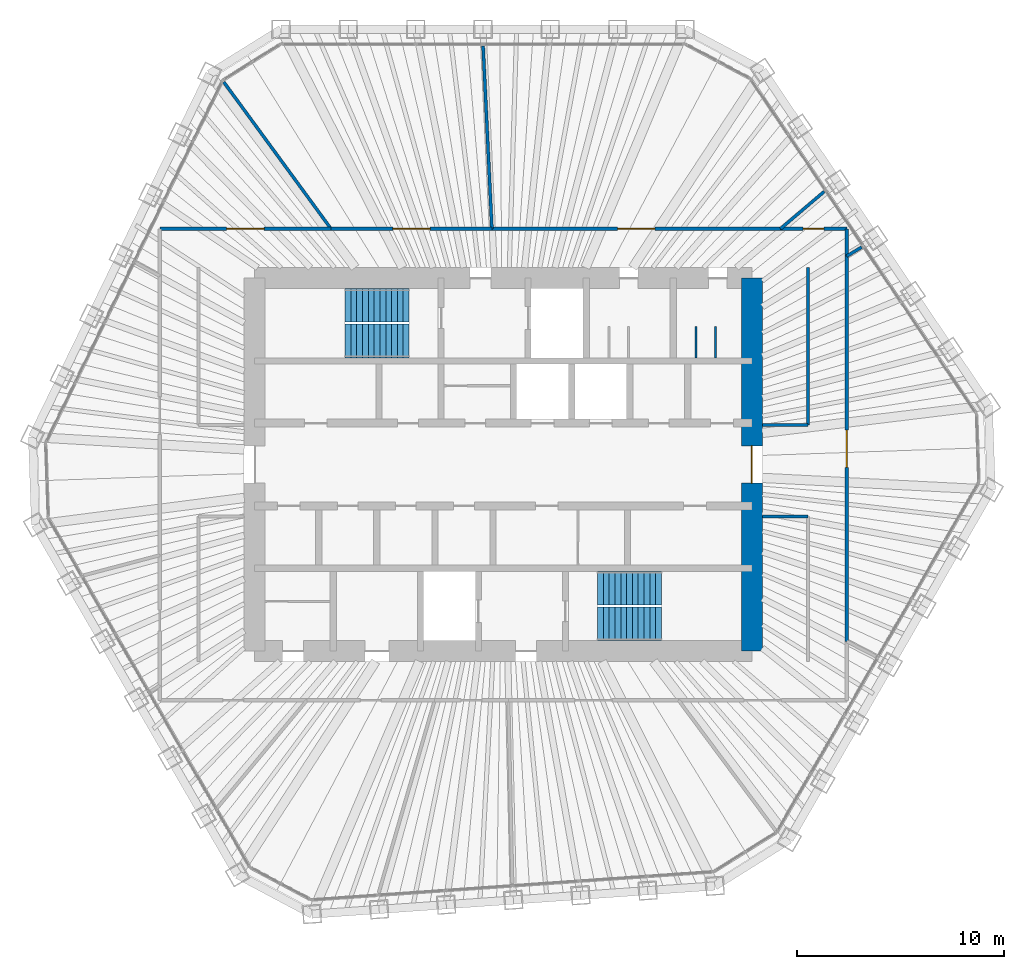
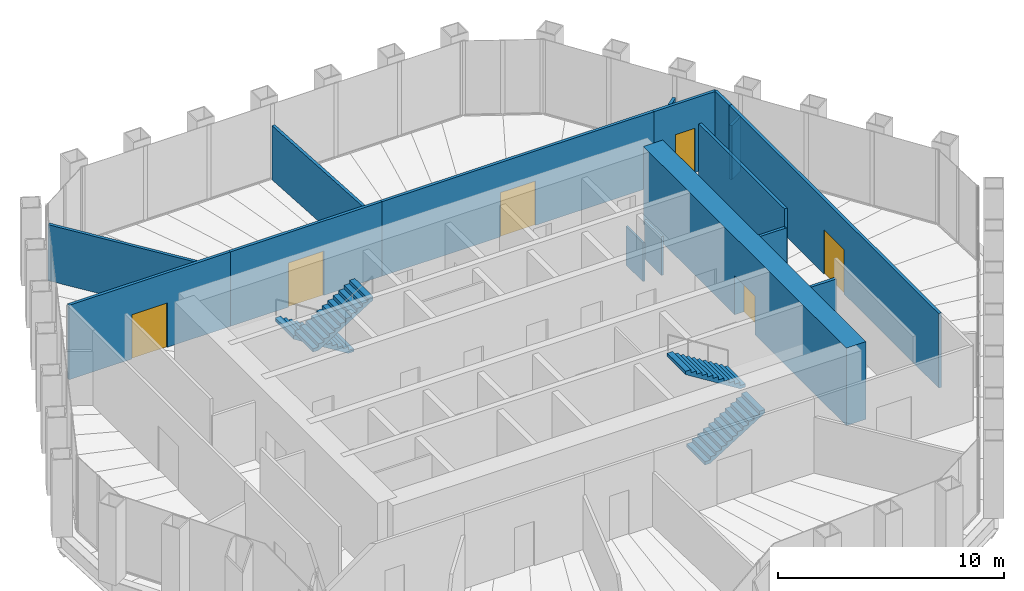
# One storey, part 13 of 14: 16 walls, 6 doors, 4 stair flights, 6 openings, 2 elements without a shape of their own.
"""IFC4 building model written with IfcOpenShell, lengths in metres."""

from ifc_helpers import new_model, si_unit, direction, frame, frame_2d, origin, place, context, subcontext, project, spatial, polyline, rectangle, outline, extrude, material, layer, layer_set, type_object, element, fill, aggregate, save


model = new_model("IFC4")

# Units and contexts
model_context = context("Model", 3, precision=1e-05, world=origin(), true_north=direction((0.0, 1.0)))
body_context = subcontext(model_context, "Body", "Model", "MODEL_VIEW")
ifc_project = project(units=[si_unit("LENGTHUNIT", "METRE"), si_unit("AREAUNIT", "SQUARE_METRE"), si_unit("VOLUMEUNIT", "CUBIC_METRE"), si_unit("PLANEANGLEUNIT", "RADIAN"), si_unit("MASSUNIT", "GRAM", prefix="KILO")], contexts=[model_context])

# Site, building, storey
site_placement = place(None, origin())
site = spatial("IfcSite", under=ifc_project, at=site_placement, CompositionType="ELEMENT")
building_placement = place(site_placement, origin())
building = spatial("IfcBuilding", under=site, at=building_placement, Name="Qingtian Harvest Tower", CompositionType="ELEMENT")
storey_placement = place(building_placement, frame((0.0, 0.0, 295.60009765625)))
storey = spatial("IfcBuildingStorey", under=building, at=storey_placement, Name="L65", CompositionType="ELEMENT", Elevation=295.60009765625)

# Wall, opening, door
ifc_material_1 = material(Name="Concrete fc' 70 MPa", Category="concrete")
ifc_layer_1 = layer(ifc_material_1, 1.0)
ifc_layer_set_1 = layer_set([ifc_layer_1], Name="Core wall RC3 1000")
wall_type_1 = type_object("IfcWallType", Name="Core wall RC3 1000", PredefinedType="SHEAR", material=ifc_layer_set_1)
wall_1_placement = place(storey_placement, frame((12.0, -9.0, 0.0), z_axis=(0.0, 0.0, 1.0), x_axis=(0.0, 1.0, 0.0)))
wall_1 = element("IfcWall", 1, at=wall_1_placement, inside=storey, type_object=wall_type_1, Name="Core wall CE L65", PredefinedType="SHEAR", context=body_context, shape_type="SweptSolid", body=[
    extrude(rectangle(XDim=18.0, YDim=1.0, at=frame_2d((9.0, 0.0))), origin(), (0.0, 0.0, 1.0), 4.199951171875),
])
opening_1_placement = place(wall_1_placement, frame((8.10009765625, 0.0, 0.0)))
opening_1 = element("IfcOpeningElement", 2, at=opening_1_placement, cuts=wall_1, Name="Opening FD2", PredefinedType="OPENING", context=body_context, shape_type="SweptSolid", body=[
    extrude(rectangle(XDim=1.800048828125, YDim=2.10009765625, at=frame_2d((0.89990234375, 1.050048828125))), frame((0.0, 0.510009765625, 0.0), z_axis=(0.0, -1.0, 0.0), x_axis=(1.0, 0.0, 0.0)), (0.0, 0.0, 1.0), 1.02001953125),
])
ifc_material_2 = material(Name="Steel-faced door leaf", Category="steel")
door_type_1 = type_object("IfcDoorType", Name="Fire door FD2 double 1 HR", OperationType="DOUBLE_DOOR_DOUBLE_SWING", PredefinedType="DOOR", material=ifc_material_2)
door_1_placement = place(opening_1_placement, origin())
door_1 = element("IfcDoor", 3, at=door_1_placement, inside=storey, type_object=door_type_1, Name="LOBBY-E door L65", OperationType="DOUBLE_DOOR_DOUBLE_SWING", OverallHeight=2.10009765625, OverallWidth=1.800048828125, PredefinedType="DOOR", context=body_context, shape_type="SweptSolid", body=[
    extrude(rectangle(XDim=1.800048828125, YDim=2.10009765625, at=frame_2d((0.89990234375, 1.050048828125))), frame((0.0, 0.02490234375, 0.0), z_axis=(0.0, -1.0, 0.0), x_axis=(1.0, 0.0, 0.0)), (0.0, 0.0, 1.0), 0.050048828125),
])
fill(opening_1, door_1)

ifc_material_3 = material(Name="Gypsum board on steel studs", Category="steel")
ifc_layer_2 = layer(ifc_material_3, 0.14990234375)
ifc_layer_set_2 = layer_set([ifc_layer_2], Name="Partition PT1 150")
wall_type_2 = type_object("IfcWallType", Name="Partition PT1 150", PredefinedType="PARTITIONING", material=ifc_layer_set_2)
wall_2_placement = place(storey_placement, frame((-16.574951171875, 11.375, 0.0), z_axis=(0.0, 0.0, 1.0), x_axis=(1.0, 0.0, 0.0)))
wall_2 = element("IfcWall", 4, at=wall_2_placement, inside=storey, type_object=wall_type_2, Name="Workplace zone wall L65", PredefinedType="PARTITIONING", context=body_context, shape_type="SweptSolid", body=[
    extrude(rectangle(XDim=8.2626953125, YDim=0.14990234375, at=frame_2d((4.13134765625, 0.0))), origin(), (0.0, 0.0, 1.0), 4.02978515625),
])
opening_2_placement = place(wall_2_placement, frame((3.2314453125, 0.0, 0.0)))
opening_2 = element("IfcOpeningElement", 5, at=opening_2_placement, cuts=wall_2, Name="Opening D3", PredefinedType="OPENING", context=body_context, shape_type="SweptSolid", body=[
    extrude(rectangle(XDim=1.800048828125, YDim=2.39990234375, at=frame_2d((0.89990234375, 1.199951171875))), frame((0.0, 0.0849609375, 0.0), z_axis=(0.0, -1.0, 0.0), x_axis=(1.0, 0.0, 0.0)), (0.0, 0.0, 1.0), 0.169921875),
])
ifc_material_4 = material(Name="Laminated timber door leaf", Category="wood")
door_type_2 = type_object("IfcDoorType", Name="Room door D3 double", OperationType="DOUBLE_DOOR_DOUBLE_SWING", PredefinedType="DOOR", material=ifc_material_4)
door_2_placement = place(opening_2_placement, origin())
door_2 = element("IfcDoor", 6, at=door_2_placement, inside=storey, type_object=door_type_2, Name="Workplace zone door L65", OperationType="DOUBLE_DOOR_DOUBLE_SWING", OverallHeight=2.39990234375, OverallWidth=1.800048828125, PredefinedType="DOOR", context=body_context, shape_type="SweptSolid", body=[
    extrude(rectangle(XDim=1.800048828125, YDim=2.39990234375, at=frame_2d((0.89990234375, 1.199951171875))), frame((0.0, 0.02490234375, 0.0), z_axis=(0.0, -1.0, 0.0), x_axis=(1.0, 0.0, 0.0)), (0.0, 0.0, 1.0), 0.050048828125),
])
fill(opening_2, door_2)

# Wall
wall_3_placement = place(storey_placement, frame((-13.486083984375, 18.455322265625, 0.0), z_axis=(0.0, 0.0, 1.0), x_axis=(0.589997742419, -0.807404894672, 0.0)))
element("IfcWall", 7, at=wall_3_placement, inside=storey, type_object=wall_type_2, Name="Meeting room wall L65", PredefinedType="PARTITIONING", context=body_context, shape_type="SweptSolid", body=[
    extrude(rectangle(XDim=8.769287109375, YDim=0.14990234375, at=frame_2d((4.384765625, 0.0))), origin(), (0.0, 0.0, 1.0), 3.02978515625),
])

# Wall, opening, door
wall_4_placement = place(storey_placement, frame((-8.312255859375, 11.375, 0.0), z_axis=(0.0, 0.0, 1.0), x_axis=(1.0, 0.0, 0.0)))
wall_4 = element("IfcWall", 8, at=wall_4_placement, inside=storey, type_object=wall_type_2, Name="Meeting room wall L65", PredefinedType="PARTITIONING", context=body_context, shape_type="SweptSolid", body=[
    extrude(rectangle(XDim=7.76416015625, YDim=0.14990234375, at=frame_2d((3.882080078125, 0.0))), origin(), (0.0, 0.0, 1.0), 4.02978515625),
])
opening_3_placement = place(wall_4_placement, frame((2.982177734375, 0.0, 0.0)))
opening_3 = element("IfcOpeningElement", 9, at=opening_3_placement, cuts=wall_4, Name="Opening D3", PredefinedType="OPENING", context=body_context, shape_type="SweptSolid", body=[
    extrude(rectangle(XDim=1.800048828125, YDim=2.39990234375, at=frame_2d((0.89990234375, 1.199951171875))), frame((0.0, 0.0849609375, 0.0), z_axis=(0.0, -1.0, 0.0), x_axis=(1.0, 0.0, 0.0)), (0.0, 0.0, 1.0), 0.169921875),
])
door_3_placement = place(opening_3_placement, origin())
door_3 = element("IfcDoor", 10, at=door_3_placement, inside=storey, type_object=door_type_2, Name="Meeting room door L65", OperationType="DOUBLE_DOOR_DOUBLE_SWING", OverallHeight=2.39990234375, OverallWidth=1.800048828125, PredefinedType="DOOR", context=body_context, shape_type="SweptSolid", body=[
    extrude(rectangle(XDim=1.800048828125, YDim=2.39990234375, at=frame_2d((0.89990234375, 1.199951171875))), frame((0.0, 0.02490234375, 0.0), z_axis=(0.0, -1.0, 0.0), x_axis=(1.0, 0.0, 0.0)), (0.0, 0.0, 1.0), 0.050048828125),
])
fill(opening_3, door_3)

# Wall
wall_5_placement = place(storey_placement, frame((-0.973388671875, 20.2001953125, 0.0), z_axis=(0.0, 0.0, 1.0), x_axis=(0.048134910622, -0.998840843368, 0.0)))
element("IfcWall", 11, at=wall_5_placement, inside=storey, type_object=wall_type_2, Name="Workplace zone wall L65", PredefinedType="PARTITIONING", context=body_context, shape_type="SweptSolid", body=[
    extrude(rectangle(XDim=8.83544921875, YDim=0.14990234375, at=frame_2d((4.417724609375, 0.0))), origin(), (0.0, 0.0, 1.0), 2.929931640625),
])

# Wall, opening, door
wall_6_placement = place(storey_placement, frame((-0.548095703125, 11.375, 0.0), z_axis=(0.0, 0.0, 1.0), x_axis=(1.0, 0.0, 0.0)))
wall_6 = element("IfcWall", 12, at=wall_6_placement, inside=storey, type_object=wall_type_2, Name="Workplace zone wall L65", PredefinedType="PARTITIONING", context=body_context, shape_type="SweptSolid", body=[
    extrude(rectangle(XDim=13.923095703125, YDim=0.14990234375, at=frame_2d((6.96142578125, 0.0))), origin(), (0.0, 0.0, 1.0), 4.02978515625),
])
opening_4_placement = place(wall_6_placement, frame((6.0615234375, 0.0, 0.0)))
opening_4 = element("IfcOpeningElement", 13, at=opening_4_placement, cuts=wall_6, Name="Opening D3", PredefinedType="OPENING", context=body_context, shape_type="SweptSolid", body=[
    extrude(rectangle(XDim=1.800048828125, YDim=2.39990234375, at=frame_2d((0.89990234375, 1.199951171875))), frame((0.0, 0.0849609375, 0.0), z_axis=(0.0, -1.0, 0.0), x_axis=(1.0, 0.0, 0.0)), (0.0, 0.0, 1.0), 0.169921875),
])
door_4_placement = place(opening_4_placement, origin())
door_4 = element("IfcDoor", 14, at=door_4_placement, inside=storey, type_object=door_type_2, Name="Workplace zone door L65", OperationType="DOUBLE_DOOR_DOUBLE_SWING", OverallHeight=2.39990234375, OverallWidth=1.800048828125, PredefinedType="DOOR", context=body_context, shape_type="SweptSolid", body=[
    extrude(rectangle(XDim=1.800048828125, YDim=2.39990234375, at=frame_2d((0.89990234375, 1.199951171875))), frame((0.0, 0.02490234375, 0.0), z_axis=(0.0, -1.0, 0.0), x_axis=(1.0, 0.0, 0.0)), (0.0, 0.0, 1.0), 0.050048828125),
])
fill(opening_4, door_4)

# Wall
wall_7_placement = place(storey_placement, frame((15.48388671875, 13.168701171875, 0.0), z_axis=(0.0, 0.0, 1.0), x_axis=(-0.761734753955, -0.647889006403, 0.0)))
element("IfcWall", 15, at=wall_7_placement, inside=storey, type_object=wall_type_2, Name="Store room wall L65", PredefinedType="PARTITIONING", context=body_context, shape_type="SweptSolid", body=[
    extrude(rectangle(XDim=2.7685546875, YDim=0.14990234375, at=frame_2d((1.38427734375, 0.0))), origin(), (0.0, 0.0, 1.0), 2.929931640625),
])

# Wall, opening, door
wall_8_placement = place(storey_placement, frame((13.375, 11.375, 0.0), z_axis=(0.0, 0.0, 1.0), x_axis=(1.0, 0.0, 0.0)))
wall_8 = element("IfcWall", 16, at=wall_8_placement, inside=storey, type_object=wall_type_2, Name="Store room wall L65", PredefinedType="PARTITIONING", context=body_context, shape_type="SweptSolid", body=[
    extrude(rectangle(XDim=3.199951171875, YDim=0.14990234375, at=frame_2d((1.60009765625, 0.0))), origin(), (0.0, 0.0, 1.0), 4.02978515625),
])
opening_5_placement = place(wall_8_placement, frame((1.10009765625, 0.0, 0.0)))
opening_5 = element("IfcOpeningElement", 17, at=opening_5_placement, cuts=wall_8, Name="Opening D2", PredefinedType="OPENING", context=body_context, shape_type="SweptSolid", body=[
    extrude(rectangle(XDim=1.0, YDim=2.39990234375, at=frame_2d((0.5, 1.199951171875))), frame((0.0, 0.0849609375, 0.0), z_axis=(0.0, -1.0, 0.0), x_axis=(1.0, 0.0, 0.0)), (0.0, 0.0, 1.0), 0.169921875),
])
ifc_material_5 = material(Name="Laminated timber door leaf", Category="wood")
door_type_3 = type_object("IfcDoorType", Name="Room door D2 single", OperationType="SINGLE_SWING_LEFT", PredefinedType="DOOR", material=ifc_material_5)
door_5_placement = place(opening_5_placement, origin())
door_5 = element("IfcDoor", 18, at=door_5_placement, inside=storey, type_object=door_type_3, Name="Store room door L65", OperationType="SINGLE_SWING_RIGHT", OverallHeight=2.39990234375, OverallWidth=1.0, PredefinedType="DOOR", context=body_context, shape_type="SweptSolid", body=[
    extrude(rectangle(XDim=1.0, YDim=2.39990234375, at=frame_2d((0.5, 1.199951171875))), frame((0.0, 0.02490234375, 0.0), z_axis=(0.0, -1.0, 0.0), x_axis=(1.0, 0.0, 0.0)), (0.0, 0.0, 1.0), 0.050048828125),
])
fill(opening_5, door_5)

# Walls
wall_9_placement = place(storey_placement, frame((16.574951171875, 11.375, 0.0), z_axis=(0.0, 0.0, 1.0), x_axis=(0.0, -1.0, 0.0)))
element("IfcWall", 19, at=wall_9_placement, inside=storey, type_object=wall_type_2, Name="Store room wall L65", PredefinedType="PARTITIONING", context=body_context, shape_type="SweptSolid", body=[
    extrude(rectangle(XDim=1.320556640625, YDim=0.14990234375, at=frame_2d((0.66015625, 0.0))), origin(), (0.0, 0.0, 1.0), 4.02978515625),
])
wall_10_placement = place(storey_placement, frame((17.291015625, 10.48876953125, 0.0), z_axis=(0.0, 0.0, 1.0), x_axis=(-0.855013745288, -0.518605336811, 0.0)))
element("IfcWall", 20, at=wall_10_placement, inside=storey, type_object=wall_type_2, Name="Workplace zone wall L65", PredefinedType="PARTITIONING", context=body_context, shape_type="SweptSolid", body=[
    extrude(rectangle(XDim=0.83740234375, YDim=0.14990234375, at=frame_2d((0.418701171875, 0.0))), origin(), (0.0, 0.0, 1.0), 2.929931640625),
])

# Wall, opening, door
wall_11_placement = place(storey_placement, frame((16.574951171875, 10.054443359375, 0.0), z_axis=(0.0, 0.0, 1.0), x_axis=(0.0, -1.0, 0.0)))
wall_11 = element("IfcWall", 21, at=wall_11_placement, inside=storey, type_object=wall_type_2, Name="Workplace zone wall L65", PredefinedType="PARTITIONING", context=body_context, shape_type="SweptSolid", body=[
    extrude(rectangle(XDim=18.587890625, YDim=0.14990234375, at=frame_2d((9.2939453125, 0.0))), origin(), (0.0, 0.0, 1.0), 4.02978515625),
])
opening_6_placement = place(wall_11_placement, frame((8.39404296875, 0.0, 0.0)))
opening_6 = element("IfcOpeningElement", 22, at=opening_6_placement, cuts=wall_11, Name="Opening D3", PredefinedType="OPENING", context=body_context, shape_type="SweptSolid", body=[
    extrude(rectangle(XDim=1.800048828125, YDim=2.39990234375, at=frame_2d((0.89990234375, 1.199951171875))), frame((0.0, 0.0849609375, 0.0), z_axis=(0.0, -1.0, 0.0), x_axis=(1.0, 0.0, 0.0)), (0.0, 0.0, 1.0), 0.169921875),
])
door_6_placement = place(opening_6_placement, origin())
door_6 = element("IfcDoor", 23, at=door_6_placement, inside=storey, type_object=door_type_2, Name="Workplace zone door L65", OperationType="DOUBLE_DOOR_DOUBLE_SWING", OverallHeight=2.39990234375, OverallWidth=1.800048828125, PredefinedType="DOOR", context=body_context, shape_type="SweptSolid", body=[
    extrude(rectangle(XDim=1.800048828125, YDim=2.39990234375, at=frame_2d((0.89990234375, 1.199951171875))), frame((0.0, 0.02490234375, 0.0), z_axis=(0.0, -1.0, 0.0), x_axis=(1.0, 0.0, 0.0)), (0.0, 0.0, 1.0), 0.050048828125),
])
fill(opening_6, door_6)

# Walls
wall_12_placement = place(storey_placement, frame((14.699951171875, 1.89990234375, 0.0), z_axis=(0.0, 0.0, 1.0), x_axis=(0.0, 1.0, 0.0)))
element("IfcWall", 24, at=wall_12_placement, inside=storey, type_object=wall_type_2, Name="Coffee point wall L65", PredefinedType="PARTITIONING", context=body_context, shape_type="SweptSolid", body=[
    extrude(rectangle(XDim=7.60009765625, YDim=0.14990234375, at=frame_2d((3.800048828125, 0.0))), origin(), (0.0, 0.0, 1.0), 4.02978515625),
])
wall_13_placement = place(storey_placement, frame((12.5, 1.89990234375, 0.0), z_axis=(0.0, 0.0, 1.0), x_axis=(1.0, 0.0, 0.0)))
element("IfcWall", 25, at=wall_13_placement, inside=storey, type_object=wall_type_2, Name="Coffee point wall L65", PredefinedType="PARTITIONING", context=body_context, shape_type="SweptSolid", body=[
    extrude(rectangle(XDim=2.199951171875, YDim=0.14990234375, at=frame_2d((1.10009765625, 0.0))), origin(), (0.0, 0.0, 1.0), 3.02978515625),
])
wall_14_placement = place(storey_placement, frame((12.5, -2.5, 0.0), z_axis=(0.0, 0.0, 1.0), x_axis=(1.0, 0.0, 0.0)))
element("IfcWall", 26, at=wall_14_placement, inside=storey, type_object=wall_type_2, Name="Print area wall L65", PredefinedType="PARTITIONING", context=body_context, shape_type="SweptSolid", body=[
    extrude(rectangle(XDim=2.199951171875, YDim=0.14990234375, at=frame_2d((1.10009765625, 0.0))), origin(), (0.0, 0.0, 1.0), 2.929931640625),
])
ifc_material_6 = material(Name="Compact laminate cubicle partition", Category="plastic")
ifc_layer_3 = layer(ifc_material_6, 0.10009765625)
ifc_layer_set_3 = layer_set([ifc_layer_3], Name="WC cubicle partition WP1 100")
wall_type_3 = type_object("IfcWallType", Name="WC cubicle partition WP1 100", PredefinedType="PARTITIONING", material=ifc_layer_set_3)
for number, where, z_axis, x_axis, name in (
    (27, (9.300048828125, 5.14990234375, 0.0), (0.0, 0.0, 1.0), (0.0, 1.0, 0.0), "WC cubicle partition WCF L65"),
    (28, (10.25, 5.14990234375, 0.0), (0.0, 0.0, 1.0), (0.0, 1.0, 0.0), "WC cubicle partition WCF L65"),
):
    element("IfcWall", number, at=place(storey_placement, frame(where, z_axis=z_axis, x_axis=x_axis)), inside=storey, type_object=wall_type_3, Name=name, PredefinedType="PARTITIONING", context=body_context, shape_type="SweptSolid", body=[
        extrude(rectangle(XDim=1.5, YDim=0.10009765625, at=frame_2d((0.75, 0.0))), origin(), (0.0, 0.0, 1.0), 2.099853515625),
    ])

# Stair, stair flights
ifc_material_7 = material(Name="Concrete fc' 35 MPa", Category="concrete")
stair_type = type_object("IfcStairType", Name="Special stair ST6 4200", PredefinedType="HALF_TURN_STAIR", material=ifc_material_7)
stair_1_placement = place(storey_placement, origin())
stair_1 = element("IfcStair", 29, at=stair_1_placement, inside=storey, type_object=stair_type, Name="Special stair S1 L65", PredefinedType="HALF_TURN_STAIR")
ifc_material_8 = material(Name="Concrete fc' 35 MPa", Category="concrete")
stair_flight_type = type_object("IfcStairFlightType", Name="Stair flight SF6 4200", PredefinedType="STRAIGHT", material=ifc_material_8)
stair_flight_1_placement = place(storey_placement, frame((-4.550048828125, 7.6875, 0.0), z_axis=(0.0, 0.0, 1.0), x_axis=(-1.0, 0.0, 0.0)))
stair_flight_1 = element("IfcStairFlight", 30, at=stair_flight_1_placement, type_object=stair_flight_type, Name="S1 flight 1", NumberOfRisers=12, NumberOfTreads=11, PredefinedType="STRAIGHT", RiserHeight=0.175, TreadLength=0.28, context=body_context, shape_type="SweptSolid", body=[
    extrude(outline(polyline([(0.0, 0.0), (0.0, 0.175048828125), (0.280029296875, 0.175048828125), (0.280029296875, 0.35009765625), (0.56005859375, 0.35009765625), (0.56005859375, 0.52490234375), (0.840087890625, 0.52490234375), (0.840087890625, 0.699951171875), (1.1201171875, 0.699951171875), (1.1201171875, 0.875), (1.39990234375, 0.875), (1.39990234375, 1.050048828125), (1.679931640625, 1.050048828125), (1.679931640625, 1.22509765625), (1.9599609375, 1.22509765625), (1.9599609375, 1.39990234375), (2.239990234375, 1.39990234375), (2.239990234375, 1.574951171875), (2.52001953125, 1.574951171875), (2.52001953125, 1.75), (2.800048828125, 1.75), (2.800048828125, 1.925048828125), (3.080078125, 1.925048828125), (3.080078125, 2.10009765625), (3.080078125, 1.748291015625), (0.28271484375, 0.0), (0.0, 0.0)])), frame((0.0, 0.8125, 0.0), z_axis=(0.0, -1.0, 0.0), x_axis=(1.0, 0.0, 0.0)), (0.0, 0.0, 1.0), 1.625),
])
stair_flight_2_placement = place(storey_placement, frame((-7.6298828125, 5.96240234375, 2.099853515625), z_axis=(0.0, 0.0, 1.0), x_axis=(1.0, 0.0, 0.0)))
stair_flight_2 = element("IfcStairFlight", 31, at=stair_flight_2_placement, type_object=stair_flight_type, Name="S1 flight 2", NumberOfRisers=12, NumberOfTreads=11, PredefinedType="STRAIGHT", RiserHeight=0.175, TreadLength=0.28, context=body_context, shape_type="SweptSolid", body=[
    extrude(outline(polyline([(0.0, 0.0), (0.0, 0.175048828125), (0.280029296875, 0.175048828125), (0.280029296875, 0.35009765625), (0.56005859375, 0.35009765625), (0.56005859375, 0.52490234375), (0.840087890625, 0.52490234375), (0.840087890625, 0.699951171875), (1.1201171875, 0.699951171875), (1.1201171875, 0.875), (1.39990234375, 0.875), (1.39990234375, 1.050048828125), (1.679931640625, 1.050048828125), (1.679931640625, 1.22509765625), (1.9599609375, 1.22509765625), (1.9599609375, 1.39990234375), (2.239990234375, 1.39990234375), (2.239990234375, 1.574951171875), (2.52001953125, 1.574951171875), (2.52001953125, 1.75), (2.800048828125, 1.75), (2.800048828125, 1.925048828125), (3.080078125, 1.925048828125), (3.080078125, 2.10009765625), (3.080078125, 1.748291015625), (0.28271484375, 0.0), (0.0, 0.0)])), frame((0.0, 0.8125, 0.0), z_axis=(0.0, -1.0, 0.0), x_axis=(1.0, 0.0, 0.0)), (0.0, 0.0, 1.0), 1.625),
])
aggregate(stair_1, [stair_flight_1, stair_flight_2])

stair_2_placement = place(storey_placement, origin())
stair_2 = element("IfcStair", 32, at=stair_2_placement, inside=storey, type_object=stair_type, Name="Special stair S2 L65", PredefinedType="HALF_TURN_STAIR")
stair_flight_3_placement = place(storey_placement, frame((4.550048828125, -7.6875, 0.0), z_axis=(0.0, 0.0, 1.0), x_axis=(1.0, 0.0, 0.0)))
stair_flight_3 = element("IfcStairFlight", 33, at=stair_flight_3_placement, type_object=stair_flight_type, Name="S2 flight 1", NumberOfRisers=12, NumberOfTreads=11, PredefinedType="STRAIGHT", RiserHeight=0.175, TreadLength=0.28, context=body_context, shape_type="SweptSolid", body=[
    extrude(outline(polyline([(0.0, 0.0), (0.0, 0.175048828125), (0.280029296875, 0.175048828125), (0.280029296875, 0.35009765625), (0.56005859375, 0.35009765625), (0.56005859375, 0.52490234375), (0.840087890625, 0.52490234375), (0.840087890625, 0.699951171875), (1.1201171875, 0.699951171875), (1.1201171875, 0.875), (1.39990234375, 0.875), (1.39990234375, 1.050048828125), (1.679931640625, 1.050048828125), (1.679931640625, 1.22509765625), (1.9599609375, 1.22509765625), (1.9599609375, 1.39990234375), (2.239990234375, 1.39990234375), (2.239990234375, 1.574951171875), (2.52001953125, 1.574951171875), (2.52001953125, 1.75), (2.800048828125, 1.75), (2.800048828125, 1.925048828125), (3.080078125, 1.925048828125), (3.080078125, 2.10009765625), (3.080078125, 1.748291015625), (0.28271484375, 0.0), (0.0, 0.0)])), frame((0.0, 0.8125, 0.0), z_axis=(0.0, -1.0, 0.0), x_axis=(1.0, 0.0, 0.0)), (0.0, 0.0, 1.0), 1.625),
])
stair_flight_4_placement = place(storey_placement, frame((7.6298828125, -5.96240234375, 2.099853515625), z_axis=(0.0, 0.0, 1.0), x_axis=(-1.0, 0.0, 0.0)))
stair_flight_4 = element("IfcStairFlight", 34, at=stair_flight_4_placement, type_object=stair_flight_type, Name="S2 flight 2", NumberOfRisers=12, NumberOfTreads=11, PredefinedType="STRAIGHT", RiserHeight=0.175, TreadLength=0.28, context=body_context, shape_type="SweptSolid", body=[
    extrude(outline(polyline([(0.0, 0.0), (0.0, 0.175048828125), (0.280029296875, 0.175048828125), (0.280029296875, 0.35009765625), (0.56005859375, 0.35009765625), (0.56005859375, 0.52490234375), (0.840087890625, 0.52490234375), (0.840087890625, 0.699951171875), (1.1201171875, 0.699951171875), (1.1201171875, 0.875), (1.39990234375, 0.875), (1.39990234375, 1.050048828125), (1.679931640625, 1.050048828125), (1.679931640625, 1.22509765625), (1.9599609375, 1.22509765625), (1.9599609375, 1.39990234375), (2.239990234375, 1.39990234375), (2.239990234375, 1.574951171875), (2.52001953125, 1.574951171875), (2.52001953125, 1.75), (2.800048828125, 1.75), (2.800048828125, 1.925048828125), (3.080078125, 1.925048828125), (3.080078125, 2.10009765625), (3.080078125, 1.748291015625), (0.28271484375, 0.0), (0.0, 0.0)])), frame((0.0, 0.8125, 0.0), z_axis=(0.0, -1.0, 0.0), x_axis=(1.0, 0.0, 0.0)), (0.0, 0.0, 1.0), 1.625),
])
aggregate(stair_2, [stair_flight_3, stair_flight_4])

save(model, "model.ifc")
